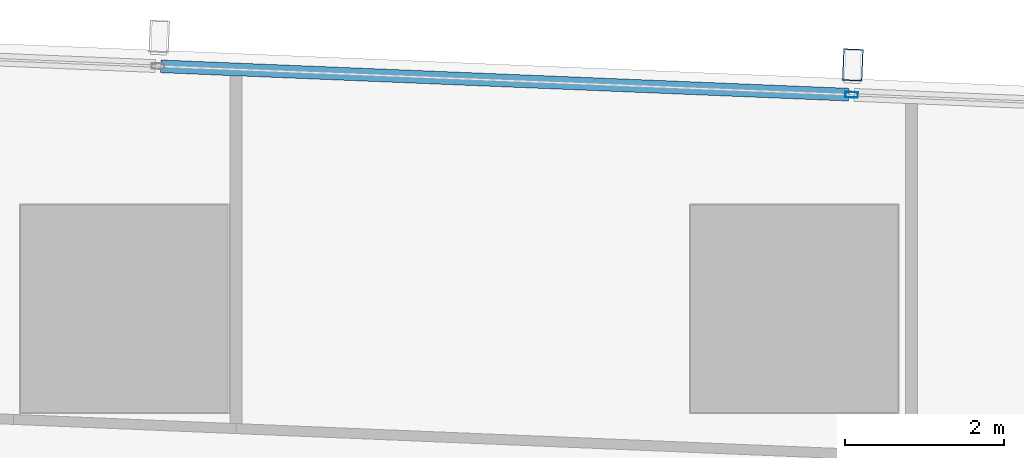
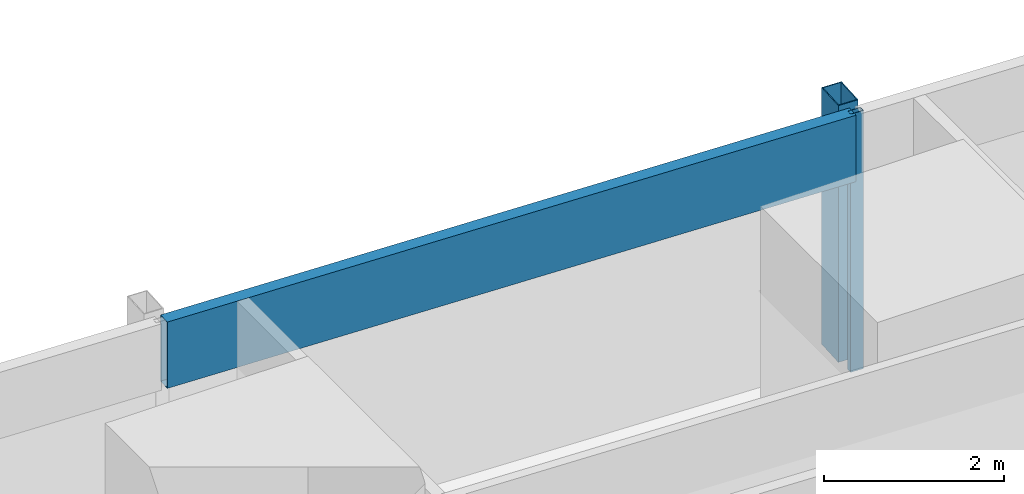
# One storey, part 21 of 46: 3 members, 1 element without a shape of its own.
"""IFC4 building model written with IfcOpenShell, lengths in metres."""

from ifc_helpers import new_model, si_unit, direction, frame, origin, origin_2d, place, context, subcontext, project, spatial, hollow_rectangle, extrude, material, material_profile, profile_set, type_object, element, aggregate, save


model = new_model("IFC4")

# Units and contexts
model_context = context("Model", 3, precision=1e-05, world=origin(), true_north=direction((0.0, 1.0)))
body_context = subcontext(model_context, "Body", "Model", "MODEL_VIEW")
ifc_project = project(units=[si_unit("LENGTHUNIT", "METRE"), si_unit("AREAUNIT", "SQUARE_METRE"), si_unit("VOLUMEUNIT", "CUBIC_METRE"), si_unit("PLANEANGLEUNIT", "RADIAN"), si_unit("MASSUNIT", "GRAM", prefix="KILO")], contexts=[model_context])

# Site, building, storey
site_placement = place(None, origin())
site = spatial("IfcSite", under=ifc_project, at=site_placement, CompositionType="ELEMENT")
building_placement = place(site_placement, origin())
building = spatial("IfcBuilding", under=site, at=building_placement, Name="Rekha Terrace Tower", CompositionType="ELEMENT")
storey_placement = place(building_placement, frame((0.0, 0.0, 29.14990234375)))
storey = spatial("IfcBuildingStorey", under=building, at=storey_placement, Name="L06", CompositionType="ELEMENT", Elevation=29.14990234375)

# Curtain wall, members
ifc_material_1 = material(Name="Aluminium framing", Category="aluminium")
curtain_wall_type = type_object("IfcCurtainWallType", Name="CW3 north unitised glazing", PredefinedType="USERDEFINED", material=ifc_material_1)
curtain_wall_placement = place(storey_placement, origin())
curtain_wall = element("IfcCurtainWall", 1, at=curtain_wall_placement, inside=storey, type_object=curtain_wall_type, Name="CW3 unitised curtain wall", ObjectType="UNITISED CURTAIN WALL", PredefinedType="USERDEFINED")
ifc_material_2 = material(Name="Steel S355 with fluorocarbon finish", Category="steel")
ifc_material_profile_1 = material_profile(ifc_material_2, hollow_rectangle(XDim=0.25, YDim=0.39990234375, WallThickness=0.012451171875, at=origin_2d()), Name="RHS400x250x12.5")
ifc_profile_set_1 = profile_set([ifc_material_profile_1], Name="Steel S355 with fluorocarbon finish")
member_type_1 = type_object("IfcMemberType", Name="BL1 facade blade RHS 400 x 250", PredefinedType="USERDEFINED", material=ifc_profile_set_1)
member_1_placement = place(storey_placement, frame((42.73388671875, 61.857421875, 0.02001953125), z_axis=(0.0, 0.0, 1.0), x_axis=(-0.99915196507, 0.041174636562, 0.0)))
member_1 = element("IfcMember", 2, at=member_1_placement, type_object=member_type_1, Name="Facade blade", ObjectType="FACADE BLADE", PredefinedType="USERDEFINED", context=body_context, shape_type="SweptSolid", body=[
    extrude(hollow_rectangle(XDim=0.25, YDim=0.39990234375, WallThickness=0.012451171875, at=origin_2d()), origin(), (0.0, 0.0, 1.0), 3.47998046875),
])
ifc_material_3 = material(Name="Aluminium mullion section", Category="aluminium")
ifc_material_profile_2 = material_profile(ifc_material_3, hollow_rectangle(XDim=0.070068359375, YDim=0.159912109375, WallThickness=0.00390625, at=origin_2d()), Name="AL RHS 70x160")
ifc_profile_set_2 = profile_set([ifc_material_profile_2], Name="Aluminium mullion section")
member_type_2 = type_object("IfcMemberType", Name="CW3 mullion RHS 70 x 160", PredefinedType="MULLION", material=ifc_profile_set_2)
member_2_placement = place(storey_placement, frame((42.718505859375, 61.48291015625, 0.0), z_axis=(0.0, 0.0, 1.0), x_axis=(-0.041173846041, -0.999151997647, 0.0)))
member_2 = element("IfcMember", 3, at=member_2_placement, type_object=member_type_2, Name="CW3 mullion 4", PredefinedType="MULLION", context=body_context, shape_type="SweptSolid", body=[
    extrude(hollow_rectangle(XDim=0.070068359375, YDim=0.159912109375, WallThickness=0.00390625, at=origin_2d()), origin(), (0.0, 0.0, 1.0), 3.5),
])
ifc_material_4 = material(Name="Insulated aluminium spandrel box", Category="aluminium")
ifc_material_profile_3 = material_profile(ifc_material_4, hollow_rectangle(XDim=0.159912109375, YDim=0.89990234375, WallThickness=0.0029296875, at=origin_2d()), Name="AL SPANDREL BOX 160x900")
ifc_profile_set_3 = profile_set([ifc_material_profile_3], Name="Insulated aluminium spandrel box")
member_type_3 = type_object("IfcMemberType", Name="CW3 spandrel transom 160 x 900", PredefinedType="USERDEFINED", material=ifc_profile_set_3)
member_3_placement = place(storey_placement, frame((42.68359375, 61.484375, 3.050048828125), z_axis=(-0.999152128669, 0.041170666459, 0.0), x_axis=(-0.041170666459, -0.999152128669, 0.0)))
member_3 = element("IfcMember", 4, at=member_3_placement, type_object=member_type_3, Name="CW3 spandrel transom 4", ObjectType="TRANSOM", PredefinedType="USERDEFINED", context=body_context, shape_type="SweptSolid", body=[
    extrude(hollow_rectangle(XDim=0.159912109375, YDim=0.89990234375, WallThickness=0.0029296875, at=origin_2d()), origin(), (0.0, 0.0, 1.0), 8.634033203125),
])
aggregate(curtain_wall, [member_2, member_3, member_1])

save(model, "model.ifc")
